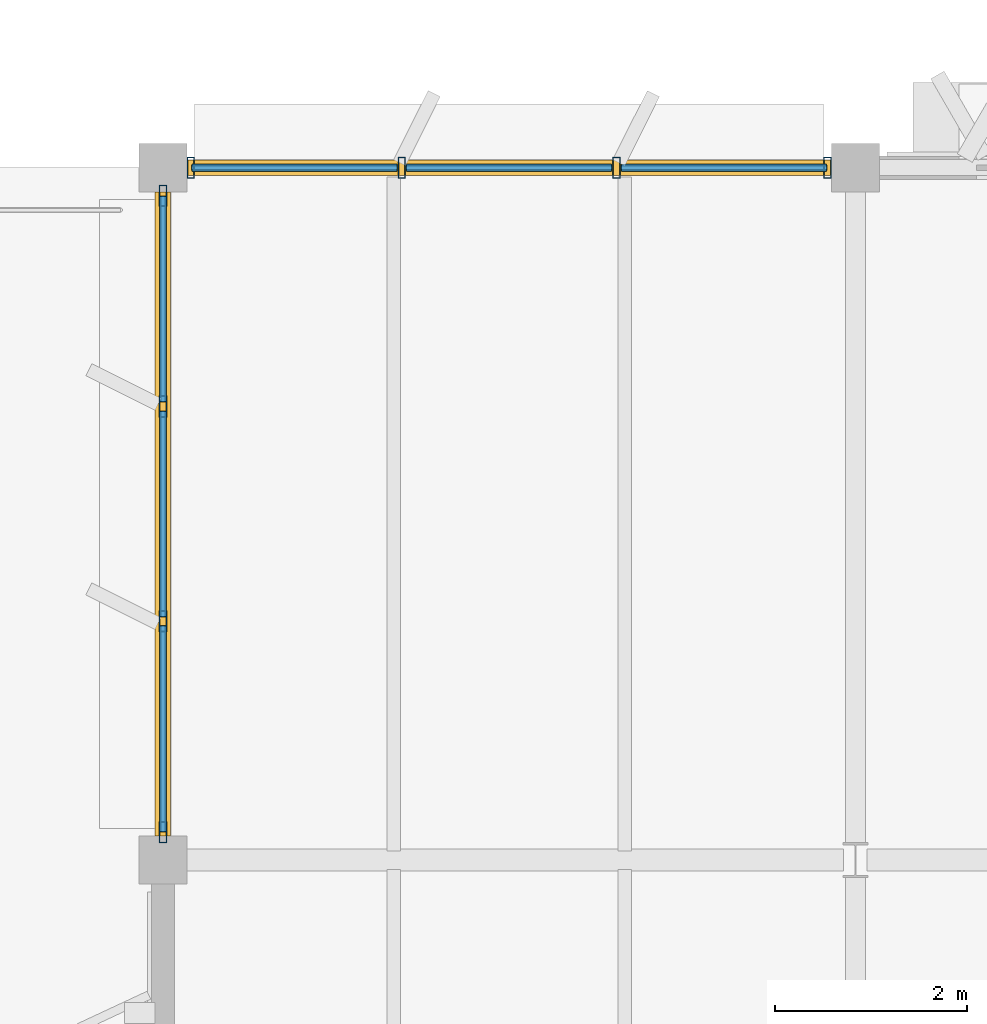
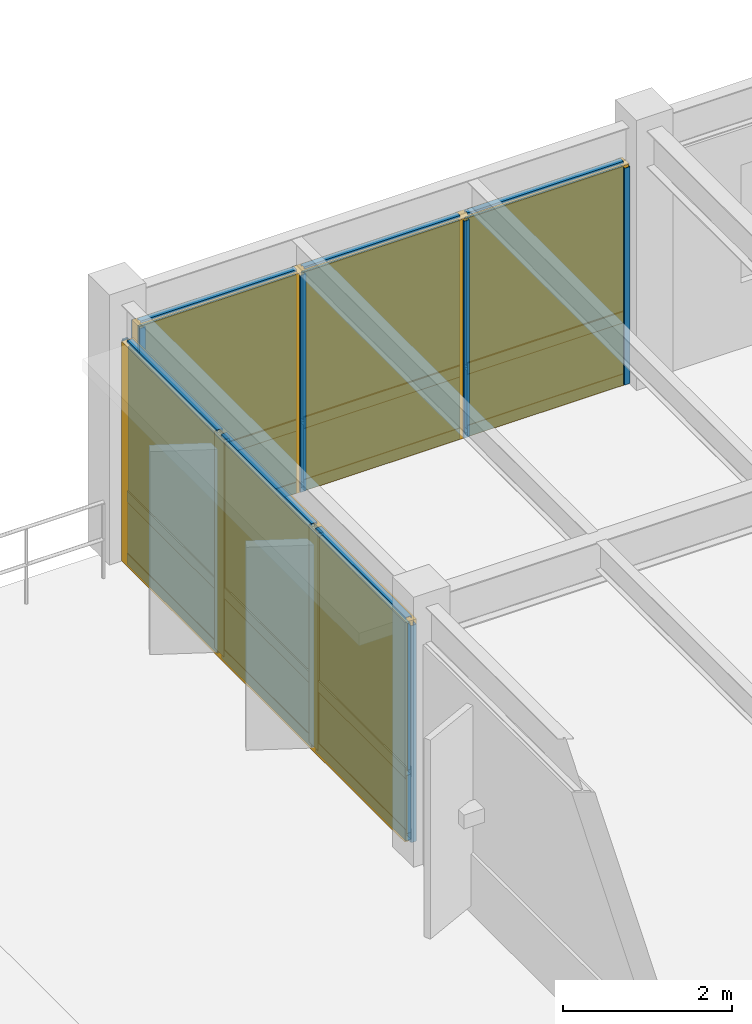
# One storey, part 19 of 35: 26 members, 12 plates, 2 curtain walls.
"""IFC4 building model written with IfcOpenShell, lengths in metres."""

from ifc_helpers import new_model, si_unit, direction, frame, origin, origin_2d, place, context, subcontext, project, spatial, rectangle, hollow_rectangle, extrude, material, layer, layer_set, material_profile, profile_set, type_object, element, aggregate, save


model = new_model("IFC4")

# Units and contexts
model_context = context("Model", 3, precision=1e-05, world=origin(), true_north=direction((0.0, 1.0)))
body_context = subcontext(model_context, "Body", "Model", "MODEL_VIEW")
ifc_project = project(units=[si_unit("LENGTHUNIT", "METRE"), si_unit("AREAUNIT", "SQUARE_METRE"), si_unit("VOLUMEUNIT", "CUBIC_METRE"), si_unit("PLANEANGLEUNIT", "RADIAN"), si_unit("MASSUNIT", "GRAM", prefix="KILO")], contexts=[model_context])

# Member
ifc_material_1 = material(Name="Anodized Aluminium 6063-T6", Category="aluminium")
ifc_material_profile_1 = material_profile(ifc_material_1, hollow_rectangle(XDim=0.074951171875, YDim=0.219970703125, WallThickness=0.0048828125, at=origin_2d()), Name="ALU 75x220x5")
ifc_profile_set_1 = profile_set([ifc_material_profile_1], Name="Anodized Aluminium 6063-T6")
member_type_1 = type_object("IfcMemberType", Name="CWM-75X180", PredefinedType="MULLION", material=ifc_profile_set_1)
site_placement = place(None, origin())
building_placement = place(site_placement, origin())
storey_placement = place(building_placement, frame((0.0, 0.0, 18.0)))
member_1_placement = place(storey_placement, frame((14.68994140625, 79.199951171875, 0.02001953125), z_axis=(0.0, 0.0, 1.0), x_axis=(1.0, 0.0, 0.0)))
member_1 = element("IfcMember", 1, at=member_1_placement, type_object=member_type_1, Name="Curtain wall mullion CW-L05-02-10-N-00", PredefinedType="MULLION", context=body_context, shape_type="SweptSolid", body=[
    extrude(hollow_rectangle(XDim=0.074951171875, YDim=0.219970703125, WallThickness=0.0048828125, at=origin_2d()), origin(), (0.0, 0.0, 1.0), 3.132080078125),
])

member_2_placement = place(storey_placement, frame((16.88330078125, 79.199951171875, 0.02001953125), z_axis=(0.0, 0.0, 1.0), x_axis=(1.0, 0.0, 0.0)))
member_2 = element("IfcMember", 2, at=member_2_placement, type_object=member_type_1, Name="Curtain wall mullion CW-L05-02-10-N-01", PredefinedType="MULLION", context=body_context, shape_type="SweptSolid", body=[
    extrude(hollow_rectangle(XDim=0.074951171875, YDim=0.219970703125, WallThickness=0.0048828125, at=origin_2d()), origin(), (0.0, 0.0, 1.0), 3.132080078125),
])

member_3_placement = place(storey_placement, frame((19.11669921875, 79.199951171875, 0.02001953125), z_axis=(0.0, 0.0, 1.0), x_axis=(1.0, 0.0, 0.0)))
member_3 = element("IfcMember", 3, at=member_3_placement, type_object=member_type_1, Name="Curtain wall mullion CW-L05-02-10-N-02", PredefinedType="MULLION", context=body_context, shape_type="SweptSolid", body=[
    extrude(hollow_rectangle(XDim=0.074951171875, YDim=0.219970703125, WallThickness=0.0048828125, at=origin_2d()), origin(), (0.0, 0.0, 1.0), 3.132080078125),
])

member_4_placement = place(storey_placement, frame((21.31005859375, 79.199951171875, 0.02001953125), z_axis=(0.0, 0.0, 1.0), x_axis=(1.0, 0.0, 0.0)))
member_4 = element("IfcMember", 4, at=member_4_placement, type_object=member_type_1, Name="Curtain wall mullion CW-L05-02-10-N-03", PredefinedType="MULLION", context=body_context, shape_type="SweptSolid", body=[
    extrude(hollow_rectangle(XDim=0.074951171875, YDim=0.219970703125, WallThickness=0.0048828125, at=origin_2d()), origin(), (0.0, 0.0, 1.0), 3.132080078125),
])

member_5_placement = place(storey_placement, frame((14.39990234375, 72.2900390625, 0.02001953125), z_axis=(0.0, 0.0, 1.0), x_axis=(1.0, 0.0, 0.0)))
member_5 = element("IfcMember", 5, at=member_5_placement, type_object=member_type_1, Name="Curtain wall mullion CW-L05-02-10-W-00", PredefinedType="MULLION", context=body_context, shape_type="SweptSolid", body=[
    extrude(hollow_rectangle(XDim=0.074951171875, YDim=0.219970703125, WallThickness=0.0048828125, at=origin_2d()), origin(), (0.0, 0.0, 1.0), 3.132080078125),
])

member_6_placement = place(storey_placement, frame((14.39990234375, 74.4833984375, 0.02001953125), z_axis=(0.0, 0.0, 1.0), x_axis=(1.0, 0.0, 0.0)))
member_6 = element("IfcMember", 6, at=member_6_placement, type_object=member_type_1, Name="Curtain wall mullion CW-L05-02-10-W-01", PredefinedType="MULLION", context=body_context, shape_type="SweptSolid", body=[
    extrude(hollow_rectangle(XDim=0.074951171875, YDim=0.219970703125, WallThickness=0.0048828125, at=origin_2d()), origin(), (0.0, 0.0, 1.0), 3.132080078125),
])

member_7_placement = place(storey_placement, frame((14.39990234375, 76.716796875, 0.02001953125), z_axis=(0.0, 0.0, 1.0), x_axis=(1.0, 0.0, 0.0)))
member_7 = element("IfcMember", 7, at=member_7_placement, type_object=member_type_1, Name="Curtain wall mullion CW-L05-02-10-W-02", PredefinedType="MULLION", context=body_context, shape_type="SweptSolid", body=[
    extrude(hollow_rectangle(XDim=0.074951171875, YDim=0.219970703125, WallThickness=0.0048828125, at=origin_2d()), origin(), (0.0, 0.0, 1.0), 3.132080078125),
])

member_8_placement = place(storey_placement, frame((14.39990234375, 78.909912109375, 0.02001953125), z_axis=(0.0, 0.0, 1.0), x_axis=(1.0, 0.0, 0.0)))
member_8 = element("IfcMember", 8, at=member_8_placement, type_object=member_type_1, Name="Curtain wall mullion CW-L05-02-10-W-03", PredefinedType="MULLION", context=body_context, shape_type="SweptSolid", body=[
    extrude(hollow_rectangle(XDim=0.074951171875, YDim=0.219970703125, WallThickness=0.0048828125, at=origin_2d()), origin(), (0.0, 0.0, 1.0), 3.132080078125),
])

ifc_material_profile_2 = material_profile(ifc_material_1, hollow_rectangle(XDim=0.074951171875, YDim=0.159912109375, WallThickness=0.00390625, at=origin_2d()), Name="ALU 75x160x4")
ifc_profile_set_2 = profile_set([ifc_material_profile_2], Name="Anodized Aluminium 6063-T6")
member_type_2 = type_object("IfcMemberType", Name="CWT-75X150", PredefinedType="USERDEFINED", material=ifc_profile_set_2)
member_9_placement = place(storey_placement, frame((14.699951171875, 79.199951171875, 0.050048828125), z_axis=(1.0, 0.0, 0.0), x_axis=(0.0, 1.0, 0.0)))
member_9 = element("IfcMember", 9, at=member_9_placement, type_object=member_type_2, Name="Curtain wall transom CW-L05-02-10-N-1.01", ObjectType="TRANSOM", PredefinedType="USERDEFINED", context=body_context, shape_type="SweptSolid", body=[
    extrude(hollow_rectangle(XDim=0.074951171875, YDim=0.159912109375, WallThickness=0.00390625, at=origin_2d()), origin(), (0.0, 0.0, 1.0), 2.13330078125),
])

member_10_placement = place(storey_placement, frame((16.933349609375, 79.199951171875, 0.050048828125), z_axis=(1.0, 0.0, 0.0), x_axis=(0.0, 1.0, 0.0)))
member_10 = element("IfcMember", 10, at=member_10_placement, type_object=member_type_2, Name="Curtain wall transom CW-L05-02-10-N-1.02", ObjectType="TRANSOM", PredefinedType="USERDEFINED", context=body_context, shape_type="SweptSolid", body=[
    extrude(hollow_rectangle(XDim=0.074951171875, YDim=0.159912109375, WallThickness=0.00390625, at=origin_2d()), origin(), (0.0, 0.0, 1.0), 2.13330078125),
])

member_11_placement = place(storey_placement, frame((19.166748046875, 79.199951171875, 0.050048828125), z_axis=(1.0, 0.0, 0.0), x_axis=(0.0, 1.0, 0.0)))
member_11 = element("IfcMember", 11, at=member_11_placement, type_object=member_type_2, Name="Curtain wall transom CW-L05-02-10-N-1.03", ObjectType="TRANSOM", PredefinedType="USERDEFINED", context=body_context, shape_type="SweptSolid", body=[
    extrude(hollow_rectangle(XDim=0.074951171875, YDim=0.159912109375, WallThickness=0.00390625, at=origin_2d()), origin(), (0.0, 0.0, 1.0), 2.13330078125),
])

member_12_placement = place(storey_placement, frame((14.699951171875, 79.199951171875, 0.949951171875), z_axis=(1.0, 0.0, 0.0), x_axis=(0.0, 1.0, 0.0)))
member_12 = element("IfcMember", 12, at=member_12_placement, type_object=member_type_2, Name="Curtain wall transom CW-L05-02-10-N-2.01", ObjectType="TRANSOM", PredefinedType="USERDEFINED", context=body_context, shape_type="SweptSolid", body=[
    extrude(hollow_rectangle(XDim=0.074951171875, YDim=0.159912109375, WallThickness=0.00390625, at=origin_2d()), origin(), (0.0, 0.0, 1.0), 2.13330078125),
])

member_13_placement = place(storey_placement, frame((16.933349609375, 79.199951171875, 0.949951171875), z_axis=(1.0, 0.0, 0.0), x_axis=(0.0, 1.0, 0.0)))
member_13 = element("IfcMember", 13, at=member_13_placement, type_object=member_type_2, Name="Curtain wall transom CW-L05-02-10-N-2.02", ObjectType="TRANSOM", PredefinedType="USERDEFINED", context=body_context, shape_type="SweptSolid", body=[
    extrude(hollow_rectangle(XDim=0.074951171875, YDim=0.159912109375, WallThickness=0.00390625, at=origin_2d()), origin(), (0.0, 0.0, 1.0), 2.13330078125),
])

member_14_placement = place(storey_placement, frame((19.166748046875, 79.199951171875, 0.949951171875), z_axis=(1.0, 0.0, 0.0), x_axis=(0.0, 1.0, 0.0)))
member_14 = element("IfcMember", 14, at=member_14_placement, type_object=member_type_2, Name="Curtain wall transom CW-L05-02-10-N-2.03", ObjectType="TRANSOM", PredefinedType="USERDEFINED", context=body_context, shape_type="SweptSolid", body=[
    extrude(hollow_rectangle(XDim=0.074951171875, YDim=0.159912109375, WallThickness=0.00390625, at=origin_2d()), origin(), (0.0, 0.0, 1.0), 2.13330078125),
])

member_15_placement = place(storey_placement, frame((14.699951171875, 79.199951171875, 3.1220703125), z_axis=(1.0, 0.0, 0.0), x_axis=(0.0, 1.0, 0.0)))
member_15 = element("IfcMember", 15, at=member_15_placement, type_object=member_type_2, Name="Curtain wall transom CW-L05-02-10-N-3.01", ObjectType="TRANSOM", PredefinedType="USERDEFINED", context=body_context, shape_type="SweptSolid", body=[
    extrude(hollow_rectangle(XDim=0.074951171875, YDim=0.159912109375, WallThickness=0.00390625, at=origin_2d()), origin(), (0.0, 0.0, 1.0), 2.13330078125),
])

member_16_placement = place(storey_placement, frame((16.933349609375, 79.199951171875, 3.1220703125), z_axis=(1.0, 0.0, 0.0), x_axis=(0.0, 1.0, 0.0)))
member_16 = element("IfcMember", 16, at=member_16_placement, type_object=member_type_2, Name="Curtain wall transom CW-L05-02-10-N-3.02", ObjectType="TRANSOM", PredefinedType="USERDEFINED", context=body_context, shape_type="SweptSolid", body=[
    extrude(hollow_rectangle(XDim=0.074951171875, YDim=0.159912109375, WallThickness=0.00390625, at=origin_2d()), origin(), (0.0, 0.0, 1.0), 2.13330078125),
])

member_17_placement = place(storey_placement, frame((19.166748046875, 79.199951171875, 3.1220703125), z_axis=(1.0, 0.0, 0.0), x_axis=(0.0, 1.0, 0.0)))
member_17 = element("IfcMember", 17, at=member_17_placement, type_object=member_type_2, Name="Curtain wall transom CW-L05-02-10-N-3.03", ObjectType="TRANSOM", PredefinedType="USERDEFINED", context=body_context, shape_type="SweptSolid", body=[
    extrude(hollow_rectangle(XDim=0.074951171875, YDim=0.159912109375, WallThickness=0.00390625, at=origin_2d()), origin(), (0.0, 0.0, 1.0), 2.13330078125),
])

member_18_placement = place(storey_placement, frame((14.39990234375, 72.300048828125, 0.050048828125), z_axis=(0.0, 1.0, 0.0), x_axis=(-1.0, 0.0, 0.0)))
member_18 = element("IfcMember", 18, at=member_18_placement, type_object=member_type_2, Name="Curtain wall transom CW-L05-02-10-W-1.01", ObjectType="TRANSOM", PredefinedType="USERDEFINED", context=body_context, shape_type="SweptSolid", body=[
    extrude(hollow_rectangle(XDim=0.074951171875, YDim=0.159912109375, WallThickness=0.00390625, at=origin_2d()), origin(), (0.0, 0.0, 1.0), 2.13330078125),
])

member_19_placement = place(storey_placement, frame((14.39990234375, 74.533203125, 0.050048828125), z_axis=(0.0, 1.0, 0.0), x_axis=(-1.0, 0.0, 0.0)))
member_19 = element("IfcMember", 19, at=member_19_placement, type_object=member_type_2, Name="Curtain wall transom CW-L05-02-10-W-1.02", ObjectType="TRANSOM", PredefinedType="USERDEFINED", context=body_context, shape_type="SweptSolid", body=[
    extrude(hollow_rectangle(XDim=0.074951171875, YDim=0.159912109375, WallThickness=0.00390625, at=origin_2d()), origin(), (0.0, 0.0, 1.0), 2.133544921875),
])

member_20_placement = place(storey_placement, frame((14.39990234375, 76.7666015625, 0.050048828125), z_axis=(0.0, 1.0, 0.0), x_axis=(-1.0, 0.0, 0.0)))
member_20 = element("IfcMember", 20, at=member_20_placement, type_object=member_type_2, Name="Curtain wall transom CW-L05-02-10-W-1.03", ObjectType="TRANSOM", PredefinedType="USERDEFINED", context=body_context, shape_type="SweptSolid", body=[
    extrude(hollow_rectangle(XDim=0.074951171875, YDim=0.159912109375, WallThickness=0.00390625, at=origin_2d()), origin(), (0.0, 0.0, 1.0), 2.13330078125),
])

member_21_placement = place(storey_placement, frame((14.39990234375, 72.300048828125, 0.949951171875), z_axis=(0.0, 1.0, 0.0), x_axis=(-1.0, 0.0, 0.0)))
member_21 = element("IfcMember", 21, at=member_21_placement, type_object=member_type_2, Name="Curtain wall transom CW-L05-02-10-W-2.01", ObjectType="TRANSOM", PredefinedType="USERDEFINED", context=body_context, shape_type="SweptSolid", body=[
    extrude(hollow_rectangle(XDim=0.074951171875, YDim=0.159912109375, WallThickness=0.00390625, at=origin_2d()), origin(), (0.0, 0.0, 1.0), 2.13330078125),
])

member_22_placement = place(storey_placement, frame((14.39990234375, 74.533203125, 0.949951171875), z_axis=(0.0, 1.0, 0.0), x_axis=(-1.0, 0.0, 0.0)))
member_22 = element("IfcMember", 22, at=member_22_placement, type_object=member_type_2, Name="Curtain wall transom CW-L05-02-10-W-2.02", ObjectType="TRANSOM", PredefinedType="USERDEFINED", context=body_context, shape_type="SweptSolid", body=[
    extrude(hollow_rectangle(XDim=0.074951171875, YDim=0.159912109375, WallThickness=0.00390625, at=origin_2d()), origin(), (0.0, 0.0, 1.0), 2.133544921875),
])

member_23_placement = place(storey_placement, frame((14.39990234375, 76.7666015625, 0.949951171875), z_axis=(0.0, 1.0, 0.0), x_axis=(-1.0, 0.0, 0.0)))
member_23 = element("IfcMember", 23, at=member_23_placement, type_object=member_type_2, Name="Curtain wall transom CW-L05-02-10-W-2.03", ObjectType="TRANSOM", PredefinedType="USERDEFINED", context=body_context, shape_type="SweptSolid", body=[
    extrude(hollow_rectangle(XDim=0.074951171875, YDim=0.159912109375, WallThickness=0.00390625, at=origin_2d()), origin(), (0.0, 0.0, 1.0), 2.13330078125),
])

member_24_placement = place(storey_placement, frame((14.39990234375, 72.300048828125, 3.1220703125), z_axis=(0.0, 1.0, 0.0), x_axis=(-1.0, 0.0, 0.0)))
member_24 = element("IfcMember", 24, at=member_24_placement, type_object=member_type_2, Name="Curtain wall transom CW-L05-02-10-W-3.01", ObjectType="TRANSOM", PredefinedType="USERDEFINED", context=body_context, shape_type="SweptSolid", body=[
    extrude(hollow_rectangle(XDim=0.074951171875, YDim=0.159912109375, WallThickness=0.00390625, at=origin_2d()), origin(), (0.0, 0.0, 1.0), 2.13330078125),
])

member_25_placement = place(storey_placement, frame((14.39990234375, 74.533203125, 3.1220703125), z_axis=(0.0, 1.0, 0.0), x_axis=(-1.0, 0.0, 0.0)))
member_25 = element("IfcMember", 25, at=member_25_placement, type_object=member_type_2, Name="Curtain wall transom CW-L05-02-10-W-3.02", ObjectType="TRANSOM", PredefinedType="USERDEFINED", context=body_context, shape_type="SweptSolid", body=[
    extrude(hollow_rectangle(XDim=0.074951171875, YDim=0.159912109375, WallThickness=0.00390625, at=origin_2d()), origin(), (0.0, 0.0, 1.0), 2.133544921875),
])

member_26_placement = place(storey_placement, frame((14.39990234375, 76.7666015625, 3.1220703125), z_axis=(0.0, 1.0, 0.0), x_axis=(-1.0, 0.0, 0.0)))
member_26 = element("IfcMember", 26, at=member_26_placement, type_object=member_type_2, Name="Curtain wall transom CW-L05-02-10-W-3.03", ObjectType="TRANSOM", PredefinedType="USERDEFINED", context=body_context, shape_type="SweptSolid", body=[
    extrude(hollow_rectangle(XDim=0.074951171875, YDim=0.159912109375, WallThickness=0.00390625, at=origin_2d()), origin(), (0.0, 0.0, 1.0), 2.13330078125),
])

# Plate
ifc_material_2 = material(Name="Acoustic Laminated Low-E Glazing", Category="glass")
ifc_layer_1 = layer(ifc_material_2, 0.0439453125)
ifc_layer_set_1 = layer_set([ifc_layer_1], Name="Acoustic Laminated Low-E Glazing")
plate_type_1 = type_object("IfcPlateType", Name="CWP-IGU-44", PredefinedType="CURTAIN_PANEL", material=ifc_layer_set_1)
plate_1_placement = place(storey_placement, frame((15.7666015625, 79.199951171875, 0.989990234375), z_axis=(0.0, 0.0, 1.0), x_axis=(1.0, 0.0, 0.0)))
plate_1 = element("IfcPlate", 27, at=plate_1_placement, type_object=plate_type_1, Name="Curtain wall vision glazing CW-L05-02-10-N-01", PredefinedType="CURTAIN_PANEL", context=body_context, shape_type="SweptSolid", body=[
    extrude(rectangle(XDim=2.143310546875, YDim=0.0400390625, at=origin_2d()), origin(), (0.0, 0.0, 1.0), 2.1220703125),
])

plate_2_placement = place(storey_placement, frame((18.0, 79.199951171875, 0.989990234375), z_axis=(0.0, 0.0, 1.0), x_axis=(1.0, 0.0, 0.0)))
plate_2 = element("IfcPlate", 28, at=plate_2_placement, type_object=plate_type_1, Name="Curtain wall vision glazing CW-L05-02-10-N-02", PredefinedType="CURTAIN_PANEL", context=body_context, shape_type="SweptSolid", body=[
    extrude(rectangle(XDim=2.143310546875, YDim=0.0400390625, at=origin_2d()), origin(), (0.0, 0.0, 1.0), 2.1220703125),
])

plate_3_placement = place(storey_placement, frame((20.2333984375, 79.199951171875, 0.989990234375), z_axis=(0.0, 0.0, 1.0), x_axis=(1.0, 0.0, 0.0)))
plate_3 = element("IfcPlate", 29, at=plate_3_placement, type_object=plate_type_1, Name="Curtain wall vision glazing CW-L05-02-10-N-03", PredefinedType="CURTAIN_PANEL", context=body_context, shape_type="SweptSolid", body=[
    extrude(rectangle(XDim=2.143310546875, YDim=0.0400390625, at=origin_2d()), origin(), (0.0, 0.0, 1.0), 2.1220703125),
])

plate_4_placement = place(storey_placement, frame((14.39990234375, 73.36669921875, 0.989990234375), z_axis=(0.0, 0.0, 1.0), x_axis=(0.0, 1.0, 0.0)))
plate_4 = element("IfcPlate", 30, at=plate_4_placement, type_object=plate_type_1, Name="Curtain wall vision glazing CW-L05-02-10-W-01", PredefinedType="CURTAIN_PANEL", context=body_context, shape_type="SweptSolid", body=[
    extrude(rectangle(XDim=2.143310546875, YDim=0.0400390625, at=origin_2d()), origin(), (0.0, 0.0, 1.0), 2.1220703125),
])

plate_5_placement = place(storey_placement, frame((14.39990234375, 75.60009765625, 0.989990234375), z_axis=(0.0, 0.0, 1.0), x_axis=(0.0, 1.0, 0.0)))
plate_5 = element("IfcPlate", 31, at=plate_5_placement, type_object=plate_type_1, Name="Curtain wall vision glazing CW-L05-02-10-W-02", PredefinedType="CURTAIN_PANEL", context=body_context, shape_type="SweptSolid", body=[
    extrude(rectangle(XDim=2.143310546875, YDim=0.0400390625, at=origin_2d()), origin(), (0.0, 0.0, 1.0), 2.1220703125),
])

plate_6_placement = place(storey_placement, frame((14.39990234375, 77.833251953125, 0.989990234375), z_axis=(0.0, 0.0, 1.0), x_axis=(0.0, 1.0, 0.0)))
plate_6 = element("IfcPlate", 32, at=plate_6_placement, type_object=plate_type_1, Name="Curtain wall vision glazing CW-L05-02-10-W-03", PredefinedType="CURTAIN_PANEL", context=body_context, shape_type="SweptSolid", body=[
    extrude(rectangle(XDim=2.143310546875, YDim=0.0400390625, at=origin_2d()), origin(), (0.0, 0.0, 1.0), 2.1220703125),
])

ifc_material_3 = material(Name="Insulated Stone-Composite Spandrel", Category="masonry")
ifc_layer_2 = layer(ifc_material_3, 0.068115234375)
ifc_layer_set_2 = layer_set([ifc_layer_2], Name="Insulated Stone-Composite Spandrel")
plate_type_2 = type_object("IfcPlateType", Name="CWP-SPN-68", PredefinedType="CURTAIN_PANEL", material=ifc_layer_set_2)
plate_7_placement = place(storey_placement, frame((15.7666015625, 79.199951171875, 0.080078125), z_axis=(0.0, 0.0, 1.0), x_axis=(1.0, 0.0, 0.0)))
plate_7 = element("IfcPlate", 33, at=plate_7_placement, type_object=plate_type_2, Name="Curtain wall spandrel panel CW-L05-02-10-N-01", PredefinedType="CURTAIN_PANEL", context=body_context, shape_type="SweptSolid", body=[
    extrude(rectangle(XDim=2.143310546875, YDim=0.06005859375, at=origin_2d()), origin(), (0.0, 0.0, 1.0), 0.840087890625),
])

plate_8_placement = place(storey_placement, frame((18.0, 79.199951171875, 0.080078125), z_axis=(0.0, 0.0, 1.0), x_axis=(1.0, 0.0, 0.0)))
plate_8 = element("IfcPlate", 34, at=plate_8_placement, type_object=plate_type_2, Name="Curtain wall spandrel panel CW-L05-02-10-N-02", PredefinedType="CURTAIN_PANEL", context=body_context, shape_type="SweptSolid", body=[
    extrude(rectangle(XDim=2.143310546875, YDim=0.06005859375, at=origin_2d()), origin(), (0.0, 0.0, 1.0), 0.840087890625),
])

plate_9_placement = place(storey_placement, frame((20.2333984375, 79.199951171875, 0.080078125), z_axis=(0.0, 0.0, 1.0), x_axis=(1.0, 0.0, 0.0)))
plate_9 = element("IfcPlate", 35, at=plate_9_placement, type_object=plate_type_2, Name="Curtain wall spandrel panel CW-L05-02-10-N-03", PredefinedType="CURTAIN_PANEL", context=body_context, shape_type="SweptSolid", body=[
    extrude(rectangle(XDim=2.143310546875, YDim=0.06005859375, at=origin_2d()), origin(), (0.0, 0.0, 1.0), 0.840087890625),
])

plate_10_placement = place(storey_placement, frame((14.39990234375, 73.36669921875, 0.080078125), z_axis=(0.0, 0.0, 1.0), x_axis=(0.0, 1.0, 0.0)))
plate_10 = element("IfcPlate", 36, at=plate_10_placement, type_object=plate_type_2, Name="Curtain wall spandrel panel CW-L05-02-10-W-01", PredefinedType="CURTAIN_PANEL", context=body_context, shape_type="SweptSolid", body=[
    extrude(rectangle(XDim=2.143310546875, YDim=0.06005859375, at=origin_2d()), origin(), (0.0, 0.0, 1.0), 0.840087890625),
])

plate_11_placement = place(storey_placement, frame((14.39990234375, 75.60009765625, 0.080078125), z_axis=(0.0, 0.0, 1.0), x_axis=(0.0, 1.0, 0.0)))
plate_11 = element("IfcPlate", 37, at=plate_11_placement, type_object=plate_type_2, Name="Curtain wall spandrel panel CW-L05-02-10-W-02", PredefinedType="CURTAIN_PANEL", context=body_context, shape_type="SweptSolid", body=[
    extrude(rectangle(XDim=2.143310546875, YDim=0.06005859375, at=origin_2d()), origin(), (0.0, 0.0, 1.0), 0.840087890625),
])

plate_12_placement = place(storey_placement, frame((14.39990234375, 77.833251953125, 0.080078125), z_axis=(0.0, 0.0, 1.0), x_axis=(0.0, 1.0, 0.0)))
plate_12 = element("IfcPlate", 38, at=plate_12_placement, type_object=plate_type_2, Name="Curtain wall spandrel panel CW-L05-02-10-W-03", PredefinedType="CURTAIN_PANEL", context=body_context, shape_type="SweptSolid", body=[
    extrude(rectangle(XDim=2.143310546875, YDim=0.06005859375, at=origin_2d()), origin(), (0.0, 0.0, 1.0), 0.840087890625),
])

# Site, building, storey
site = spatial("IfcSite", under=ifc_project, at=site_placement, CompositionType="ELEMENT")
building = spatial("IfcBuilding", under=site, at=building_placement, Name="Sillqori Civic Hall", CompositionType="ELEMENT")
storey = spatial("IfcBuildingStorey", under=building, at=storey_placement, Name="L05", CompositionType="ELEMENT", Elevation=18.0)

# Curtain wall
ifc_material_4 = material(Name="Anodized Aluminium Curtain Wall System", Category="aluminium")
curtain_wall_type = type_object("IfcCurtainWallType", Name="CW-AD-370", PredefinedType="NOTDEFINED", material=ifc_material_4)
curtain_wall_1_placement = place(storey_placement, frame((18.0, 79.199951171875, 0.0), z_axis=(0.0, 0.0, 1.0), x_axis=(1.0, 0.0, 0.0)))
curtain_wall_1 = element("IfcCurtainWall", 39, at=curtain_wall_1_placement, inside=storey, type_object=curtain_wall_type, Name="L05 unitised curtain wall CW-L05-02-10-N", PredefinedType="NOTDEFINED", context=body_context, shape_type="SweptSolid", body=[
    extrude(rectangle(XDim=6.699951171875, YDim=0.159912109375, at=origin_2d()), origin(), (0.0, 0.0, 1.0), 3.172119140625),
])

aggregate(curtain_wall_1, [member_1, member_2, member_3, member_4, member_9, member_10, member_11, member_12, member_13, member_14, member_15, member_16, member_17, plate_7, plate_1, plate_8, plate_2, plate_9, plate_3])

curtain_wall_2_placement = place(storey_placement, frame((14.39990234375, 75.60009765625, 0.0), z_axis=(0.0, 0.0, 1.0), x_axis=(0.0, 1.0, 0.0)))
curtain_wall_2 = element("IfcCurtainWall", 40, at=curtain_wall_2_placement, inside=storey, type_object=curtain_wall_type, Name="L05 unitised curtain wall CW-L05-02-10-W", PredefinedType="NOTDEFINED", context=body_context, shape_type="SweptSolid", body=[
    extrude(rectangle(XDim=6.699951171875, YDim=0.159912109375, at=origin_2d()), origin(), (0.0, 0.0, 1.0), 3.172119140625),
])

aggregate(curtain_wall_2, [member_5, member_6, member_7, member_8, member_18, member_19, member_20, member_21, member_22, member_23, member_24, member_25, member_26, plate_10, plate_4, plate_11, plate_5, plate_12, plate_6])

save(model, "model.ifc")
